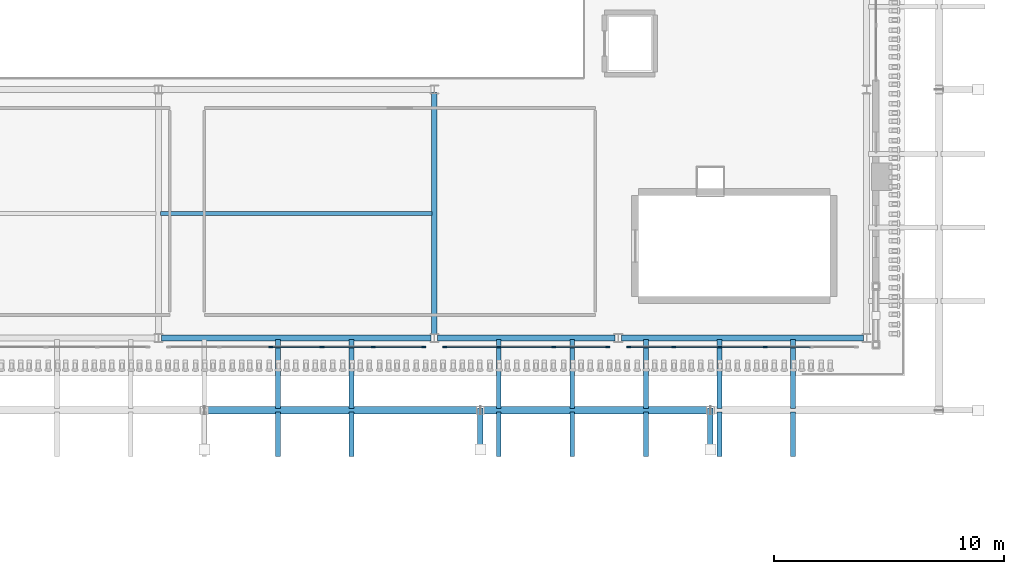
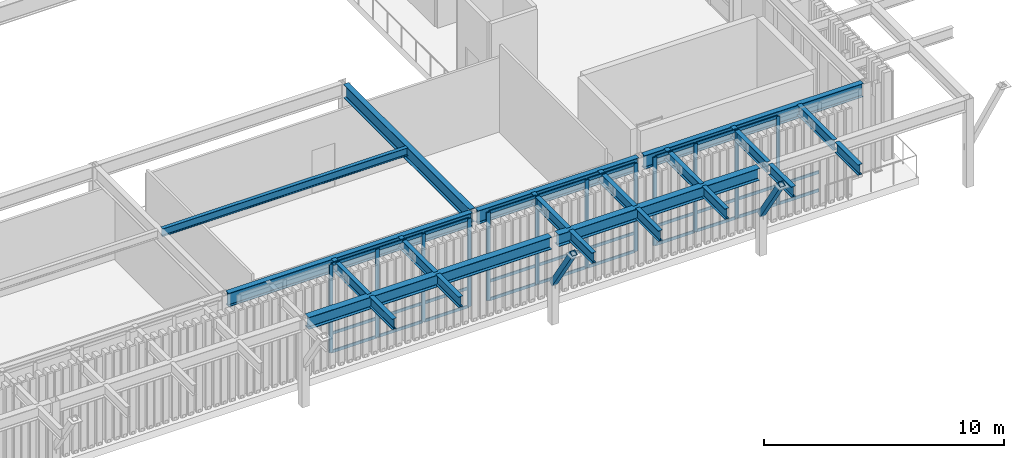
# One storey, part 45 of 126: 43 members, 21 beams, 3 elements without a shape of their own.
"""IFC4 building model written with IfcOpenShell, lengths in metres."""

from ifc_helpers import new_model, si_unit, derived_unit, direction, frame, origin, origin_2d, place, context, subcontext, project, spatial, rectangle, hollow_rectangle, i_section, extrude, material, layer, layer_set, material_profile, profile_set, type_object, element, aggregate, save


model = new_model("IFC4")

# Units and contexts
model_context = context("Model", 3, precision=1e-05, world=origin(), true_north=direction((0.0, 1.0)))
body_context = subcontext(model_context, "Body", "Model", "MODEL_VIEW")
ifc_project = project(units=[si_unit("LENGTHUNIT", "METRE"), si_unit("AREAUNIT", "SQUARE_METRE"), si_unit("VOLUMEUNIT", "CUBIC_METRE"), si_unit("PLANEANGLEUNIT", "RADIAN"), si_unit("MASSUNIT", "GRAM", prefix="KILO"), derived_unit("THERMALTRANSMITTANCEUNIT", [(si_unit("MASSUNIT", "GRAM", prefix="KILO"), 1), (si_unit("TIMEUNIT", "SECOND"), -3), (si_unit("THERMODYNAMICTEMPERATUREUNIT", "KELVIN"), -1)])], contexts=[model_context])

# Site, building, storey
site_placement = place(None, origin())
site = spatial("IfcSite", under=ifc_project, at=site_placement, CompositionType="ELEMENT")
building_placement = place(site_placement, origin())
building = spatial("IfcBuilding", under=site, at=building_placement, Name="Valcora Ridge Arena", CompositionType="ELEMENT")
storey_placement = place(building_placement, frame((0.0, 0.0, 11.39990234375)))
storey = spatial("IfcBuildingStorey", under=building, at=storey_placement, Name="L02", CompositionType="ELEMENT", Elevation=11.39990234375)

# Beams
ifc_material_1 = material(Name="Steel ASTM A572 Grade 50", Category="steel")
ifc_material_profile_1 = material_profile(ifc_material_1, i_section(OverallWidth=0.324951171875, OverallDepth=0.612060546875, WebThickness=0.0126953125, FlangeThickness=0.01904296875, FilletRadius=0.01806640625, at=origin_2d()), Name="W24X104")
ifc_profile_set_1 = profile_set([ifc_material_profile_1], Name="Steel ASTM A572 Grade 50")
beam_type_1 = type_object("IfcBeamType", Name="TY-BEAM-G-COL-W24S", PredefinedType="BEAM", material=ifc_profile_set_1)
beam_1_placement = place(storey_placement, frame((158.159912109375, 2.050048828125, 4.174072265625), z_axis=(1.0, 0.0, 0.0), x_axis=(0.0, 1.0, 0.0)))
element("IfcBeam", 1, at=beam_1_placement, inside=storey, type_object=beam_type_1, Name="G-COL-W24S BEM-G-COL-W24S-0003", PredefinedType="BEAM", context=body_context, shape_type="SweptSolid", body=[
    extrude(i_section(OverallWidth=0.324951171875, OverallDepth=0.612060546875, WebThickness=0.0126953125, FlangeThickness=0.01904296875, FilletRadius=0.01806640625, at=origin_2d()), origin(), (0.0, 0.0, 1.0), 11.68017578125),
])
beam_2_placement = place(storey_placement, frame((170.159912109375, 2.050048828125, 4.174072265625), z_axis=(1.0, 0.0, 0.0), x_axis=(0.0, 1.0, 0.0)))
element("IfcBeam", 2, at=beam_2_placement, inside=storey, type_object=beam_type_1, Name="G-COL-W24S BEM-G-COL-W24S-0004", PredefinedType="BEAM", context=body_context, shape_type="SweptSolid", body=[
    extrude(i_section(OverallWidth=0.324951171875, OverallDepth=0.612060546875, WebThickness=0.0126953125, FlangeThickness=0.01904296875, FilletRadius=0.01806640625, at=origin_2d()), origin(), (0.0, 0.0, 1.0), 9.68017578125),
])
ifc_material_profile_2 = material_profile(ifc_material_1, i_section(OverallWidth=0.256103515625, OverallDepth=0.693115234375, WebThickness=0.014404296875, FlangeThickness=0.023681640625, FilletRadius=0.02001953125, at=origin_2d()), Name="W27X114")
ifc_profile_set_2 = profile_set([ifc_material_profile_2], Name="Steel ASTM A572 Grade 50")
beam_type_2 = type_object("IfcBeamType", Name="TY-BEAM-G-W27X114-Y", PredefinedType="BEAM", material=ifc_profile_set_2)
beam_3_placement = place(storey_placement, frame((168.0, 5.340087890625, 4.133544921875), z_axis=(0.0, 1.0, 0.0), x_axis=(-1.0, 0.0, 0.0)))
element("IfcBeam", 3, at=beam_3_placement, inside=storey, type_object=beam_type_2, Name="G-W27X114-Y BEM-G-W27X114-Y-0073", PredefinedType="BEAM", context=body_context, shape_type="SweptSolid", body=[
    extrude(i_section(OverallWidth=0.256103515625, OverallDepth=0.693115234375, WebThickness=0.014404296875, FlangeThickness=0.023681640625, FilletRadius=0.02001953125, at=origin_2d()), origin(), (0.0, 0.0, 1.0), 10.52001953125),
])
ifc_material_profile_3 = material_profile(ifc_material_1, i_section(OverallWidth=0.177978515625, OverallDepth=0.406005859375, WebThickness=0.0078125, FlangeThickness=0.0126953125, FilletRadius=0.013916015625, at=origin_2d()), Name="W16X40")
ifc_profile_set_3 = profile_set([ifc_material_profile_3], Name="Steel ASTM A572 Grade 50")
beam_type_3 = type_object("IfcBeamType", Name="TY-BEAM-J-W16X40", PredefinedType="JOIST", material=ifc_profile_set_3)
beam_4_placement = place(storey_placement, frame((156.10009765625, 10.60009765625, 4.277099609375), z_axis=(1.0, 0.0, 0.0), x_axis=(0.0, 1.0, 0.0)))
element("IfcBeam", 4, at=beam_4_placement, inside=storey, type_object=beam_type_3, Name="J-W16X40 BEM-J-W16X40-0019", PredefinedType="JOIST", context=body_context, shape_type="SweptSolid", body=[
    extrude(i_section(OverallWidth=0.177978515625, OverallDepth=0.406005859375, WebThickness=0.0078125, FlangeThickness=0.0126953125, FilletRadius=0.013916015625, at=origin_2d()), origin(), (0.0, 0.0, 1.0), 11.7998046875),
])
ifc_material_profile_4 = material_profile(ifc_material_1, i_section(OverallWidth=0.208984375, OverallDepth=0.532958984375, WebThickness=0.01025390625, FlangeThickness=0.015625, FilletRadius=0.01611328125, at=origin_2d()), Name="W21X62")
ifc_profile_set_4 = profile_set([ifc_material_profile_4], Name="Steel ASTM A572 Grade 50")
beam_type_4 = type_object("IfcBeamType", Name="TY-BEAM-RAF-EAVE-W21S", PredefinedType="BEAM", material=ifc_profile_set_4)
for number, where, z_axis, x_axis, name in (
    (5, (161.199951171875, 2.1298828125, 4.213623046875), (0.0, 1.0, 0.0), (-1.0, 0.0, 0.0), "RAF-EAVE-W21S BEM-RAF-EAVE-W21S-0008"),
    (6, (164.39990234375, 2.1298828125, 4.213623046875), (0.0, 1.0, 0.0), (-1.0, 0.0, 0.0), "RAF-EAVE-W21S BEM-RAF-EAVE-W21S-0009"),
    (7, (170.800048828125, 2.1298828125, 4.213623046875), (0.0, 1.0, 0.0), (-1.0, 0.0, 0.0), "RAF-EAVE-W21S BEM-RAF-EAVE-W21S-0010"),
    (8, (174.0, 2.1298828125, 4.213623046875), (0.0, 1.0, 0.0), (-1.0, 0.0, 0.0), "RAF-EAVE-W21S BEM-RAF-EAVE-W21S-0011"),
    (9, (177.199951171875, 2.1298828125, 4.213623046875), (0.0, 1.0, 0.0), (-1.0, 0.0, 0.0), "RAF-EAVE-W21S BEM-RAF-EAVE-W21S-0012"),
    (10, (180.39990234375, 2.1298828125, 4.213623046875), (0.0, 1.0, 0.0), (-1.0, 0.0, 0.0), "RAF-EAVE-W21S BEM-RAF-EAVE-W21S-0013"),
    (11, (183.60009765625, 2.1298828125, 4.213623046875), (0.0, 1.0, 0.0), (-1.0, 0.0, 0.0), "RAF-EAVE-W21S BEM-RAF-EAVE-W21S-0014"),
):
    element("IfcBeam", number, at=place(storey_placement, frame(where, z_axis=z_axis, x_axis=x_axis)), inside=storey, type_object=beam_type_4, Name=name, PredefinedType="BEAM", context=body_context, shape_type="SweptSolid", body=[
        extrude(i_section(OverallWidth=0.208984375, OverallDepth=0.532958984375, WebThickness=0.01025390625, FlangeThickness=0.015625, FilletRadius=0.01611328125, at=origin_2d()), origin(), (0.0, 0.0, 1.0), 2.990234375),
    ])
ifc_material_profile_5 = material_profile(ifc_material_1, i_section(OverallWidth=0.208984375, OverallDepth=0.532958984375, WebThickness=0.01025390625, FlangeThickness=0.015625, FilletRadius=0.01611328125, at=origin_2d()), Name="W21X62")
ifc_profile_set_5 = profile_set([ifc_material_profile_5], Name="Steel ASTM A572 Grade 50")
beam_type_5 = type_object("IfcBeamType", Name="TY-BEAM-RAF-TIP-W21S", PredefinedType="BEAM", material=ifc_profile_set_5)
for number, where, z_axis, x_axis, name in (
    (12, (161.199951171875, 0.050048828125, 4.213623046875), (0.0, 1.0, 0.0), (-1.0, 0.0, 0.0), "RAF-TIP-W21S BEM-RAF-TIP-W21S-0008"),
    (13, (164.39990234375, 0.050048828125, 4.213623046875), (0.0, 1.0, 0.0), (-1.0, 0.0, 0.0), "RAF-TIP-W21S BEM-RAF-TIP-W21S-0009"),
    (14, (170.800048828125, 0.050048828125, 4.213623046875), (0.0, 1.0, 0.0), (-1.0, 0.0, 0.0), "RAF-TIP-W21S BEM-RAF-TIP-W21S-0010"),
    (15, (174.0, 0.050048828125, 4.213623046875), (0.0, 1.0, 0.0), (-1.0, 0.0, 0.0), "RAF-TIP-W21S BEM-RAF-TIP-W21S-0011"),
    (16, (177.199951171875, 0.050048828125, 4.213623046875), (0.0, 1.0, 0.0), (-1.0, 0.0, 0.0), "RAF-TIP-W21S BEM-RAF-TIP-W21S-0012"),
    (17, (180.39990234375, 0.050048828125, 4.213623046875), (0.0, 1.0, 0.0), (-1.0, 0.0, 0.0), "RAF-TIP-W21S BEM-RAF-TIP-W21S-0013"),
    (18, (183.60009765625, 0.050048828125, 4.213623046875), (0.0, 1.0, 0.0), (-1.0, 0.0, 0.0), "RAF-TIP-W21S BEM-RAF-TIP-W21S-0014"),
):
    element("IfcBeam", number, at=place(storey_placement, frame(where, z_axis=z_axis, x_axis=x_axis)), inside=storey, type_object=beam_type_5, Name=name, PredefinedType="BEAM", context=body_context, shape_type="SweptSolid", body=[
        extrude(i_section(OverallWidth=0.208984375, OverallDepth=0.532958984375, WebThickness=0.01025390625, FlangeThickness=0.015625, FilletRadius=0.01611328125, at=origin_2d()), origin(), (0.0, 0.0, 1.0), 1.919921875),
    ])
ifc_material_profile_6 = material_profile(ifc_material_1, i_section(OverallWidth=0.256103515625, OverallDepth=0.693115234375, WebThickness=0.014404296875, FlangeThickness=0.023681640625, FilletRadius=0.02001953125, at=origin_2d()), Name="W27X114")
ifc_profile_set_6 = profile_set([ifc_material_profile_6], Name="Steel ASTM A572 Grade 50")
beam_type_6 = type_object("IfcBeamType", Name="TY-BEAM-SP-W27X114", PredefinedType="SPANDREL", material=ifc_profile_set_6)
beam_5_placement = place(storey_placement, frame((156.139892578125, 5.199951171875, 4.133544921875), z_axis=(1.0, 0.0, 0.0), x_axis=(0.0, 1.0, 0.0)))
element("IfcBeam", 19, at=beam_5_placement, inside=storey, type_object=beam_type_6, Name="SP-W27X114 BEM-SP-W27X114-0023", PredefinedType="SPANDREL", context=body_context, shape_type="SweptSolid", body=[
    extrude(i_section(OverallWidth=0.256103515625, OverallDepth=0.693115234375, WebThickness=0.014404296875, FlangeThickness=0.023681640625, FilletRadius=0.02001953125, at=origin_2d()), origin(), (0.0, 0.0, 1.0), 11.72021484375),
])
beam_6_placement = place(storey_placement, frame((168.139892578125, 5.199951171875, 4.133544921875), z_axis=(1.0, 0.0, 0.0), x_axis=(0.0, 1.0, 0.0)))
element("IfcBeam", 20, at=beam_6_placement, inside=storey, type_object=beam_type_6, Name="SP-W27X114 BEM-SP-W27X114-0024", PredefinedType="SPANDREL", context=body_context, shape_type="SweptSolid", body=[
    extrude(i_section(OverallWidth=0.256103515625, OverallDepth=0.693115234375, WebThickness=0.014404296875, FlangeThickness=0.023681640625, FilletRadius=0.02001953125, at=origin_2d()), origin(), (0.0, 0.0, 1.0), 7.72021484375),
])
beam_7_placement = place(storey_placement, frame((176.139892578125, 5.199951171875, 4.133544921875), z_axis=(1.0, 0.0, 0.0), x_axis=(0.0, 1.0, 0.0)))
element("IfcBeam", 21, at=beam_7_placement, inside=storey, type_object=beam_type_6, Name="SP-W27X114 BEM-SP-W27X114-0025", PredefinedType="SPANDREL", context=body_context, shape_type="SweptSolid", body=[
    extrude(i_section(OverallWidth=0.256103515625, OverallDepth=0.693115234375, WebThickness=0.014404296875, FlangeThickness=0.023681640625, FilletRadius=0.02001953125, at=origin_2d()), origin(), (0.0, 0.0, 1.0), 10.52001953125),
])

# Curtain wall, members
ifc_material_2 = material(Name="Anodised dark bronze architectural aluminium 6063-T6", Category="aluminium")
ifc_layer_1 = layer(ifc_material_2, 0.179931640625, Name="Anodised dark bronze architectural aluminium 6063-T6")
ifc_layer_set_1 = layer_set([ifc_layer_1], Name="Anodised dark bronze architectural aluminium 6063-T6")
curtain_wall_type_1 = type_object("IfcCurtainWallType", Name="TY-CURTAINWALL-CW-V2-GLAZ-111X45", PredefinedType="NOTDEFINED", material=ifc_layer_set_1)
curtain_wall_1_placement = place(storey_placement, origin())
curtain_wall_1 = element("IfcCurtainWall", 22, at=curtain_wall_1_placement, inside=storey, type_object=curtain_wall_type_1, Name="CW-V2-GLAZ-111X45 CW-0068", PredefinedType="NOTDEFINED")
ifc_material_profile_7 = material_profile(ifc_material_2, rectangle(XDim=0.06005859375, YDim=0.179931640625, at=origin_2d()), Name="ALU MULLION 60x180")
ifc_profile_set_7 = profile_set([ifc_material_profile_7], Name="Anodised dark bronze architectural aluminium 6063-T6")
member_type_1 = type_object("IfcMemberType", Name="TY-MEM-CWM-60x180", PredefinedType="MULLION", material=ifc_profile_set_7)
member_1_placement = place(storey_placement, frame((160.885498046875, 4.800048828125, 0.0), z_axis=(0.0, 0.0, 1.0), x_axis=(0.0, 1.0, 0.0)))
member_1 = element("IfcMember", 23, at=member_1_placement, type_object=member_type_1, Name="CW-0068/CWM-60x180/M02", PredefinedType="MULLION", context=body_context, shape_type="SweptSolid", body=[
    extrude(rectangle(XDim=0.06005859375, YDim=0.179931640625, at=origin_2d()), origin(), (0.0, 0.0, 1.0), 4.47998046875),
])
member_2_placement = place(storey_placement, frame((163.114501953125, 4.800048828125, 0.0), z_axis=(0.0, 0.0, 1.0), x_axis=(0.0, 1.0, 0.0)))
member_2 = element("IfcMember", 24, at=member_2_placement, type_object=member_type_1, Name="CW-0068/CWM-60x180/M03", PredefinedType="MULLION", context=body_context, shape_type="SweptSolid", body=[
    extrude(rectangle(XDim=0.06005859375, YDim=0.179931640625, at=origin_2d()), origin(), (0.0, 0.0, 1.0), 4.47998046875),
])
member_3_placement = place(storey_placement, frame((165.34375, 4.800048828125, 0.0), z_axis=(0.0, 0.0, 1.0), x_axis=(0.0, 1.0, 0.0)))
member_3 = element("IfcMember", 25, at=member_3_placement, type_object=member_type_1, Name="CW-0068/CWM-60x180/M04", PredefinedType="MULLION", context=body_context, shape_type="SweptSolid", body=[
    extrude(rectangle(XDim=0.06005859375, YDim=0.179931640625, at=origin_2d()), origin(), (0.0, 0.0, 1.0), 4.47998046875),
])
member_4_placement = place(storey_placement, frame((167.54296875, 4.800048828125, 0.0), z_axis=(0.0, 0.0, 1.0), x_axis=(0.0, 1.0, 0.0)))
member_4 = element("IfcMember", 26, at=member_4_placement, type_object=member_type_1, Name="CW-0068/CWM-60x180/M05", PredefinedType="MULLION", context=body_context, shape_type="SweptSolid", body=[
    extrude(rectangle(XDim=0.06005859375, YDim=0.179931640625, at=origin_2d()), origin(), (0.0, 0.0, 1.0), 4.47998046875),
])

ifc_layer_2 = layer(ifc_material_2, 0.179931640625, Name="Anodised dark bronze architectural aluminium 6063-T6")
ifc_layer_set_2 = layer_set([ifc_layer_2], Name="Anodised dark bronze architectural aluminium 6063-T6")
curtain_wall_type_2 = type_object("IfcCurtainWallType", Name="TY-CURTAINWALL-CW-V2-GLAZ-071X45", PredefinedType="NOTDEFINED", material=ifc_layer_set_2)
curtain_wall_2_placement = place(storey_placement, origin())
curtain_wall_2 = element("IfcCurtainWall", 27, at=curtain_wall_2_placement, inside=storey, type_object=curtain_wall_type_2, Name="CW-V2-GLAZ-071X45 CW-0069", PredefinedType="NOTDEFINED")
member_5_placement = place(storey_placement, frame((168.45703125, 4.800048828125, 0.0), z_axis=(0.0, 0.0, 1.0), x_axis=(0.0, 1.0, 0.0)))
member_5 = element("IfcMember", 28, at=member_5_placement, type_object=member_type_1, Name="CW-0069/CWM-60x180/M00", PredefinedType="MULLION", context=body_context, shape_type="SweptSolid", body=[
    extrude(rectangle(XDim=0.06005859375, YDim=0.179931640625, at=origin_2d()), origin(), (0.0, 0.0, 1.0), 4.47998046875),
])
member_6_placement = place(storey_placement, frame((170.80908203125, 4.800048828125, 0.0), z_axis=(0.0, 0.0, 1.0), x_axis=(0.0, 1.0, 0.0)))
member_6 = element("IfcMember", 29, at=member_6_placement, type_object=member_type_1, Name="CW-0069/CWM-60x180/M01", PredefinedType="MULLION", context=body_context, shape_type="SweptSolid", body=[
    extrude(rectangle(XDim=0.06005859375, YDim=0.179931640625, at=origin_2d()), origin(), (0.0, 0.0, 1.0), 4.47998046875),
])
member_7_placement = place(storey_placement, frame((173.19091796875, 4.800048828125, 0.0), z_axis=(0.0, 0.0, 1.0), x_axis=(0.0, 1.0, 0.0)))
member_7 = element("IfcMember", 30, at=member_7_placement, type_object=member_type_1, Name="CW-0069/CWM-60x180/M02", PredefinedType="MULLION", context=body_context, shape_type="SweptSolid", body=[
    extrude(rectangle(XDim=0.06005859375, YDim=0.179931640625, at=origin_2d()), origin(), (0.0, 0.0, 1.0), 4.47998046875),
])
member_8_placement = place(storey_placement, frame((175.54296875, 4.800048828125, 0.0), z_axis=(0.0, 0.0, 1.0), x_axis=(0.0, 1.0, 0.0)))
member_8 = element("IfcMember", 31, at=member_8_placement, type_object=member_type_1, Name="CW-0069/CWM-60x180/M03", PredefinedType="MULLION", context=body_context, shape_type="SweptSolid", body=[
    extrude(rectangle(XDim=0.06005859375, YDim=0.179931640625, at=origin_2d()), origin(), (0.0, 0.0, 1.0), 4.47998046875),
])

ifc_layer_3 = layer(ifc_material_2, 0.179931640625, Name="Anodised dark bronze architectural aluminium 6063-T6")
ifc_layer_set_3 = layer_set([ifc_layer_3], Name="Anodised dark bronze architectural aluminium 6063-T6")
curtain_wall_type_3 = type_object("IfcCurtainWallType", Name="TY-CURTAINWALL-CW-V2-GLAZ-099X45", PredefinedType="NOTDEFINED", material=ifc_layer_set_3)
curtain_wall_3_placement = place(storey_placement, origin())
curtain_wall_3 = element("IfcCurtainWall", 32, at=curtain_wall_3_placement, inside=storey, type_object=curtain_wall_type_3, Name="CW-V2-GLAZ-099X45 CW-0070", PredefinedType="NOTDEFINED")
member_9_placement = place(storey_placement, frame((176.45703125, 4.800048828125, 0.0), z_axis=(0.0, 0.0, 1.0), x_axis=(0.0, 1.0, 0.0)))
member_9 = element("IfcMember", 33, at=member_9_placement, type_object=member_type_1, Name="CW-0070/CWM-60x180/M00", PredefinedType="MULLION", context=body_context, shape_type="SweptSolid", body=[
    extrude(rectangle(XDim=0.06005859375, YDim=0.179931640625, at=origin_2d()), origin(), (0.0, 0.0, 1.0), 4.47998046875),
])
member_10_placement = place(storey_placement, frame((178.416259765625, 4.800048828125, 0.0), z_axis=(0.0, 0.0, 1.0), x_axis=(0.0, 1.0, 0.0)))
member_10 = element("IfcMember", 34, at=member_10_placement, type_object=member_type_1, Name="CW-0070/CWM-60x180/M01", PredefinedType="MULLION", context=body_context, shape_type="SweptSolid", body=[
    extrude(rectangle(XDim=0.06005859375, YDim=0.179931640625, at=origin_2d()), origin(), (0.0, 0.0, 1.0), 4.47998046875),
])
member_11_placement = place(storey_placement, frame((180.405517578125, 4.800048828125, 0.0), z_axis=(0.0, 0.0, 1.0), x_axis=(0.0, 1.0, 0.0)))
member_11 = element("IfcMember", 35, at=member_11_placement, type_object=member_type_1, Name="CW-0070/CWM-60x180/M02", PredefinedType="MULLION", context=body_context, shape_type="SweptSolid", body=[
    extrude(rectangle(XDim=0.06005859375, YDim=0.179931640625, at=origin_2d()), origin(), (0.0, 0.0, 1.0), 4.47998046875),
])
member_12_placement = place(storey_placement, frame((182.39453125, 4.800048828125, 0.0), z_axis=(0.0, 0.0, 1.0), x_axis=(0.0, 1.0, 0.0)))
member_12 = element("IfcMember", 36, at=member_12_placement, type_object=member_type_1, Name="CW-0070/CWM-60x180/M03", PredefinedType="MULLION", context=body_context, shape_type="SweptSolid", body=[
    extrude(rectangle(XDim=0.06005859375, YDim=0.179931640625, at=origin_2d()), origin(), (0.0, 0.0, 1.0), 4.47998046875),
])

# Member
ifc_material_profile_8 = material_profile(ifc_material_2, rectangle(XDim=0.050048828125, YDim=0.14990234375, at=origin_2d()), Name="ALU TRANSOM 50x150")
ifc_profile_set_8 = profile_set([ifc_material_profile_8], Name="Anodised dark bronze architectural aluminium 6063-T6")
member_type_2 = type_object("IfcMemberType", Name="TY-MEM-CWT-50x150", PredefinedType="USERDEFINED", material=ifc_profile_set_8)
member_13_placement = place(storey_placement, frame((160.9150390625, 4.800048828125, 0.025146484375), z_axis=(1.0, 0.0, 0.0), x_axis=(0.0, 1.0, 0.0)))
member_13 = element("IfcMember", 37, at=member_13_placement, type_object=member_type_2, Name="CW-0068/CWT-50x150/T02-00", ObjectType="TRANSOM", PredefinedType="USERDEFINED", context=body_context, shape_type="SweptSolid", body=[
    extrude(rectangle(XDim=0.050048828125, YDim=0.14990234375, at=origin_2d()), origin(), (0.0, 0.0, 1.0), 2.169921875),
])

member_14_placement = place(storey_placement, frame((160.9150390625, 4.800048828125, 0.9501953125), z_axis=(1.0, 0.0, 0.0), x_axis=(0.0, 1.0, 0.0)))
member_14 = element("IfcMember", 38, at=member_14_placement, type_object=member_type_2, Name="CW-0068/CWT-50x150/T02-01", ObjectType="TRANSOM", PredefinedType="USERDEFINED", context=body_context, shape_type="SweptSolid", body=[
    extrude(rectangle(XDim=0.050048828125, YDim=0.14990234375, at=origin_2d()), origin(), (0.0, 0.0, 1.0), 2.169921875),
])

member_15_placement = place(storey_placement, frame((160.9150390625, 4.800048828125, 4.455078125), z_axis=(1.0, 0.0, 0.0), x_axis=(0.0, 1.0, 0.0)))
member_15 = element("IfcMember", 39, at=member_15_placement, type_object=member_type_2, Name="CW-0068/CWT-50x150/T02-02", ObjectType="TRANSOM", PredefinedType="USERDEFINED", context=body_context, shape_type="SweptSolid", body=[
    extrude(rectangle(XDim=0.050048828125, YDim=0.14990234375, at=origin_2d()), origin(), (0.0, 0.0, 1.0), 2.169921875),
])

member_16_placement = place(storey_placement, frame((163.14501953125, 4.800048828125, 0.025146484375), z_axis=(1.0, 0.0, 0.0), x_axis=(0.0, 1.0, 0.0)))
member_16 = element("IfcMember", 40, at=member_16_placement, type_object=member_type_2, Name="CW-0068/CWT-50x150/T03-00", ObjectType="TRANSOM", PredefinedType="USERDEFINED", context=body_context, shape_type="SweptSolid", body=[
    extrude(rectangle(XDim=0.050048828125, YDim=0.14990234375, at=origin_2d()), origin(), (0.0, 0.0, 1.0), 2.1689453125),
])

member_17_placement = place(storey_placement, frame((163.14501953125, 4.800048828125, 0.9501953125), z_axis=(1.0, 0.0, 0.0), x_axis=(0.0, 1.0, 0.0)))
member_17 = element("IfcMember", 41, at=member_17_placement, type_object=member_type_2, Name="CW-0068/CWT-50x150/T03-01", ObjectType="TRANSOM", PredefinedType="USERDEFINED", context=body_context, shape_type="SweptSolid", body=[
    extrude(rectangle(XDim=0.050048828125, YDim=0.14990234375, at=origin_2d()), origin(), (0.0, 0.0, 1.0), 2.1689453125),
])

member_18_placement = place(storey_placement, frame((163.14501953125, 4.800048828125, 4.455078125), z_axis=(1.0, 0.0, 0.0), x_axis=(0.0, 1.0, 0.0)))
member_18 = element("IfcMember", 42, at=member_18_placement, type_object=member_type_2, Name="CW-0068/CWT-50x150/T03-02", ObjectType="TRANSOM", PredefinedType="USERDEFINED", context=body_context, shape_type="SweptSolid", body=[
    extrude(rectangle(XDim=0.050048828125, YDim=0.14990234375, at=origin_2d()), origin(), (0.0, 0.0, 1.0), 2.1689453125),
])

member_19_placement = place(storey_placement, frame((165.3740234375, 4.800048828125, 0.025146484375), z_axis=(1.0, 0.0, 0.0), x_axis=(0.0, 1.0, 0.0)))
member_19 = element("IfcMember", 43, at=member_19_placement, type_object=member_type_2, Name="CW-0068/CWT-50x150/T04-00", ObjectType="TRANSOM", PredefinedType="USERDEFINED", context=body_context, shape_type="SweptSolid", body=[
    extrude(rectangle(XDim=0.050048828125, YDim=0.14990234375, at=origin_2d()), origin(), (0.0, 0.0, 1.0), 2.138916015625),
])

member_20_placement = place(storey_placement, frame((165.3740234375, 4.800048828125, 0.9501953125), z_axis=(1.0, 0.0, 0.0), x_axis=(0.0, 1.0, 0.0)))
member_20 = element("IfcMember", 44, at=member_20_placement, type_object=member_type_2, Name="CW-0068/CWT-50x150/T04-01", ObjectType="TRANSOM", PredefinedType="USERDEFINED", context=body_context, shape_type="SweptSolid", body=[
    extrude(rectangle(XDim=0.050048828125, YDim=0.14990234375, at=origin_2d()), origin(), (0.0, 0.0, 1.0), 2.138916015625),
])

member_21_placement = place(storey_placement, frame((165.3740234375, 4.800048828125, 4.455078125), z_axis=(1.0, 0.0, 0.0), x_axis=(0.0, 1.0, 0.0)))
member_21 = element("IfcMember", 45, at=member_21_placement, type_object=member_type_2, Name="CW-0068/CWT-50x150/T04-02", ObjectType="TRANSOM", PredefinedType="USERDEFINED", context=body_context, shape_type="SweptSolid", body=[
    extrude(rectangle(XDim=0.050048828125, YDim=0.14990234375, at=origin_2d()), origin(), (0.0, 0.0, 1.0), 2.138916015625),
])

aggregate(curtain_wall_1, [member_1, member_2, member_3, member_4, member_13, member_14, member_15, member_16, member_17, member_18, member_19, member_20, member_21])

member_22_placement = place(storey_placement, frame((168.487060546875, 4.800048828125, 0.025146484375), z_axis=(1.0, 0.0, 0.0), x_axis=(0.0, 1.0, 0.0)))
member_22 = element("IfcMember", 46, at=member_22_placement, type_object=member_type_2, Name="CW-0069/CWT-50x150/T00-00", ObjectType="TRANSOM", PredefinedType="USERDEFINED", context=body_context, shape_type="SweptSolid", body=[
    extrude(rectangle(XDim=0.050048828125, YDim=0.14990234375, at=origin_2d()), origin(), (0.0, 0.0, 1.0), 2.2919921875),
])

member_23_placement = place(storey_placement, frame((168.487060546875, 4.800048828125, 0.9501953125), z_axis=(1.0, 0.0, 0.0), x_axis=(0.0, 1.0, 0.0)))
member_23 = element("IfcMember", 47, at=member_23_placement, type_object=member_type_2, Name="CW-0069/CWT-50x150/T00-01", ObjectType="TRANSOM", PredefinedType="USERDEFINED", context=body_context, shape_type="SweptSolid", body=[
    extrude(rectangle(XDim=0.050048828125, YDim=0.14990234375, at=origin_2d()), origin(), (0.0, 0.0, 1.0), 2.2919921875),
])

member_24_placement = place(storey_placement, frame((168.487060546875, 4.800048828125, 4.455078125), z_axis=(1.0, 0.0, 0.0), x_axis=(0.0, 1.0, 0.0)))
member_24 = element("IfcMember", 48, at=member_24_placement, type_object=member_type_2, Name="CW-0069/CWT-50x150/T00-02", ObjectType="TRANSOM", PredefinedType="USERDEFINED", context=body_context, shape_type="SweptSolid", body=[
    extrude(rectangle(XDim=0.050048828125, YDim=0.14990234375, at=origin_2d()), origin(), (0.0, 0.0, 1.0), 2.2919921875),
])

member_25_placement = place(storey_placement, frame((170.839111328125, 4.800048828125, 0.025146484375), z_axis=(1.0, 0.0, 0.0), x_axis=(0.0, 1.0, 0.0)))
member_25 = element("IfcMember", 49, at=member_25_placement, type_object=member_type_2, Name="CW-0069/CWT-50x150/T01-00", ObjectType="TRANSOM", PredefinedType="USERDEFINED", context=body_context, shape_type="SweptSolid", body=[
    extrude(rectangle(XDim=0.050048828125, YDim=0.14990234375, at=origin_2d()), origin(), (0.0, 0.0, 1.0), 2.32177734375),
])

member_26_placement = place(storey_placement, frame((170.839111328125, 4.800048828125, 0.9501953125), z_axis=(1.0, 0.0, 0.0), x_axis=(0.0, 1.0, 0.0)))
member_26 = element("IfcMember", 50, at=member_26_placement, type_object=member_type_2, Name="CW-0069/CWT-50x150/T01-01", ObjectType="TRANSOM", PredefinedType="USERDEFINED", context=body_context, shape_type="SweptSolid", body=[
    extrude(rectangle(XDim=0.050048828125, YDim=0.14990234375, at=origin_2d()), origin(), (0.0, 0.0, 1.0), 2.32177734375),
])

member_27_placement = place(storey_placement, frame((170.839111328125, 4.800048828125, 4.455078125), z_axis=(1.0, 0.0, 0.0), x_axis=(0.0, 1.0, 0.0)))
member_27 = element("IfcMember", 51, at=member_27_placement, type_object=member_type_2, Name="CW-0069/CWT-50x150/T01-02", ObjectType="TRANSOM", PredefinedType="USERDEFINED", context=body_context, shape_type="SweptSolid", body=[
    extrude(rectangle(XDim=0.050048828125, YDim=0.14990234375, at=origin_2d()), origin(), (0.0, 0.0, 1.0), 2.32177734375),
])

member_28_placement = place(storey_placement, frame((173.220947265625, 4.800048828125, 0.025146484375), z_axis=(1.0, 0.0, 0.0), x_axis=(0.0, 1.0, 0.0)))
member_28 = element("IfcMember", 52, at=member_28_placement, type_object=member_type_2, Name="CW-0069/CWT-50x150/T02-00", ObjectType="TRANSOM", PredefinedType="USERDEFINED", context=body_context, shape_type="SweptSolid", body=[
    extrude(rectangle(XDim=0.050048828125, YDim=0.14990234375, at=origin_2d()), origin(), (0.0, 0.0, 1.0), 2.2919921875),
])

member_29_placement = place(storey_placement, frame((173.220947265625, 4.800048828125, 0.9501953125), z_axis=(1.0, 0.0, 0.0), x_axis=(0.0, 1.0, 0.0)))
member_29 = element("IfcMember", 53, at=member_29_placement, type_object=member_type_2, Name="CW-0069/CWT-50x150/T02-01", ObjectType="TRANSOM", PredefinedType="USERDEFINED", context=body_context, shape_type="SweptSolid", body=[
    extrude(rectangle(XDim=0.050048828125, YDim=0.14990234375, at=origin_2d()), origin(), (0.0, 0.0, 1.0), 2.2919921875),
])

member_30_placement = place(storey_placement, frame((173.220947265625, 4.800048828125, 4.455078125), z_axis=(1.0, 0.0, 0.0), x_axis=(0.0, 1.0, 0.0)))
member_30 = element("IfcMember", 54, at=member_30_placement, type_object=member_type_2, Name="CW-0069/CWT-50x150/T02-02", ObjectType="TRANSOM", PredefinedType="USERDEFINED", context=body_context, shape_type="SweptSolid", body=[
    extrude(rectangle(XDim=0.050048828125, YDim=0.14990234375, at=origin_2d()), origin(), (0.0, 0.0, 1.0), 2.2919921875),
])

aggregate(curtain_wall_2, [member_5, member_6, member_7, member_8, member_22, member_23, member_24, member_25, member_26, member_27, member_28, member_29, member_30])

member_31_placement = place(storey_placement, frame((176.487060546875, 4.800048828125, 0.025146484375), z_axis=(1.0, 0.0, 0.0), x_axis=(0.0, 1.0, 0.0)))
member_31 = element("IfcMember", 55, at=member_31_placement, type_object=member_type_2, Name="CW-0070/CWT-50x150/T00-00", ObjectType="TRANSOM", PredefinedType="USERDEFINED", context=body_context, shape_type="SweptSolid", body=[
    extrude(rectangle(XDim=0.050048828125, YDim=0.14990234375, at=origin_2d()), origin(), (0.0, 0.0, 1.0), 1.89892578125),
])

member_32_placement = place(storey_placement, frame((176.487060546875, 4.800048828125, 0.9501953125), z_axis=(1.0, 0.0, 0.0), x_axis=(0.0, 1.0, 0.0)))
member_32 = element("IfcMember", 56, at=member_32_placement, type_object=member_type_2, Name="CW-0070/CWT-50x150/T00-01", ObjectType="TRANSOM", PredefinedType="USERDEFINED", context=body_context, shape_type="SweptSolid", body=[
    extrude(rectangle(XDim=0.050048828125, YDim=0.14990234375, at=origin_2d()), origin(), (0.0, 0.0, 1.0), 1.89892578125),
])

member_33_placement = place(storey_placement, frame((176.487060546875, 4.800048828125, 4.455078125), z_axis=(1.0, 0.0, 0.0), x_axis=(0.0, 1.0, 0.0)))
member_33 = element("IfcMember", 57, at=member_33_placement, type_object=member_type_2, Name="CW-0070/CWT-50x150/T00-02", ObjectType="TRANSOM", PredefinedType="USERDEFINED", context=body_context, shape_type="SweptSolid", body=[
    extrude(rectangle(XDim=0.050048828125, YDim=0.14990234375, at=origin_2d()), origin(), (0.0, 0.0, 1.0), 1.89892578125),
])

member_34_placement = place(storey_placement, frame((178.446044921875, 4.800048828125, 0.025146484375), z_axis=(1.0, 0.0, 0.0), x_axis=(0.0, 1.0, 0.0)))
member_34 = element("IfcMember", 58, at=member_34_placement, type_object=member_type_2, Name="CW-0070/CWT-50x150/T01-00", ObjectType="TRANSOM", PredefinedType="USERDEFINED", context=body_context, shape_type="SweptSolid", body=[
    extrude(rectangle(XDim=0.050048828125, YDim=0.14990234375, at=origin_2d()), origin(), (0.0, 0.0, 1.0), 1.928955078125),
])

member_35_placement = place(storey_placement, frame((178.446044921875, 4.800048828125, 0.9501953125), z_axis=(1.0, 0.0, 0.0), x_axis=(0.0, 1.0, 0.0)))
member_35 = element("IfcMember", 59, at=member_35_placement, type_object=member_type_2, Name="CW-0070/CWT-50x150/T01-01", ObjectType="TRANSOM", PredefinedType="USERDEFINED", context=body_context, shape_type="SweptSolid", body=[
    extrude(rectangle(XDim=0.050048828125, YDim=0.14990234375, at=origin_2d()), origin(), (0.0, 0.0, 1.0), 1.928955078125),
])

member_36_placement = place(storey_placement, frame((178.446044921875, 4.800048828125, 4.455078125), z_axis=(1.0, 0.0, 0.0), x_axis=(0.0, 1.0, 0.0)))
member_36 = element("IfcMember", 60, at=member_36_placement, type_object=member_type_2, Name="CW-0070/CWT-50x150/T01-02", ObjectType="TRANSOM", PredefinedType="USERDEFINED", context=body_context, shape_type="SweptSolid", body=[
    extrude(rectangle(XDim=0.050048828125, YDim=0.14990234375, at=origin_2d()), origin(), (0.0, 0.0, 1.0), 1.928955078125),
])

member_37_placement = place(storey_placement, frame((180.43505859375, 4.800048828125, 0.025146484375), z_axis=(1.0, 0.0, 0.0), x_axis=(0.0, 1.0, 0.0)))
member_37 = element("IfcMember", 61, at=member_37_placement, type_object=member_type_2, Name="CW-0070/CWT-50x150/T02-00", ObjectType="TRANSOM", PredefinedType="USERDEFINED", context=body_context, shape_type="SweptSolid", body=[
    extrude(rectangle(XDim=0.050048828125, YDim=0.14990234375, at=origin_2d()), origin(), (0.0, 0.0, 1.0), 1.929931640625),
])

member_38_placement = place(storey_placement, frame((180.43505859375, 4.800048828125, 0.9501953125), z_axis=(1.0, 0.0, 0.0), x_axis=(0.0, 1.0, 0.0)))
member_38 = element("IfcMember", 62, at=member_38_placement, type_object=member_type_2, Name="CW-0070/CWT-50x150/T02-01", ObjectType="TRANSOM", PredefinedType="USERDEFINED", context=body_context, shape_type="SweptSolid", body=[
    extrude(rectangle(XDim=0.050048828125, YDim=0.14990234375, at=origin_2d()), origin(), (0.0, 0.0, 1.0), 1.929931640625),
])

member_39_placement = place(storey_placement, frame((180.43505859375, 4.800048828125, 4.455078125), z_axis=(1.0, 0.0, 0.0), x_axis=(0.0, 1.0, 0.0)))
member_39 = element("IfcMember", 63, at=member_39_placement, type_object=member_type_2, Name="CW-0070/CWT-50x150/T02-02", ObjectType="TRANSOM", PredefinedType="USERDEFINED", context=body_context, shape_type="SweptSolid", body=[
    extrude(rectangle(XDim=0.050048828125, YDim=0.14990234375, at=origin_2d()), origin(), (0.0, 0.0, 1.0), 1.929931640625),
])

member_40_placement = place(storey_placement, frame((182.425048828125, 4.800048828125, 0.025146484375), z_axis=(1.0, 0.0, 0.0), x_axis=(0.0, 1.0, 0.0)))
member_40 = element("IfcMember", 64, at=member_40_placement, type_object=member_type_2, Name="CW-0070/CWT-50x150/T03-00", ObjectType="TRANSOM", PredefinedType="USERDEFINED", context=body_context, shape_type="SweptSolid", body=[
    extrude(rectangle(XDim=0.050048828125, YDim=0.14990234375, at=origin_2d()), origin(), (0.0, 0.0, 1.0), 1.928955078125),
])

member_41_placement = place(storey_placement, frame((182.425048828125, 4.800048828125, 0.9501953125), z_axis=(1.0, 0.0, 0.0), x_axis=(0.0, 1.0, 0.0)))
member_41 = element("IfcMember", 65, at=member_41_placement, type_object=member_type_2, Name="CW-0070/CWT-50x150/T03-01", ObjectType="TRANSOM", PredefinedType="USERDEFINED", context=body_context, shape_type="SweptSolid", body=[
    extrude(rectangle(XDim=0.050048828125, YDim=0.14990234375, at=origin_2d()), origin(), (0.0, 0.0, 1.0), 1.928955078125),
])

aggregate(curtain_wall_3, [member_9, member_10, member_11, member_12, member_31, member_32, member_33, member_34, member_35, member_36, member_37, member_38, member_39, member_40, member_41])

# Members
ifc_material_3 = material(Name="Steel ASTM A500 Grade C", Category="steel")
ifc_material_profile_9 = material_profile(ifc_material_3, hollow_rectangle(XDim=0.25, YDim=0.25, WallThickness=0.012451171875, at=origin_2d()), Name="HSS250X250X12")
ifc_profile_set_9 = profile_set([ifc_material_profile_9], Name="Steel ASTM A500 Grade C")
member_type_3 = type_object("IfcMemberType", Name="TY-MEMBER-KBG-250S", PredefinedType="BRACE", material=ifc_profile_set_9)
for number, where, z_axis, x_axis, name in (
    (66, (170.0, 2.050048828125, 2.0), (0.0, -0.55317758564, 0.833063358182), (1.0, 0.0, 0.0), "KBG-250S Knee Brace"),
    (67, (180.0, 2.050048828125, 2.0), (0.0, -0.55317758564, 0.833063358182), (1.0, 0.0, 0.0), "KBG-250S Knee Brace"),
):
    element("IfcMember", number, at=place(storey_placement, frame(where, z_axis=z_axis, x_axis=x_axis)), inside=storey, type_object=member_type_3, Name=name, PredefinedType="BRACE", context=body_context, shape_type="SweptSolid", body=[
        extrude(hollow_rectangle(XDim=0.25, YDim=0.25, WallThickness=0.012451171875, at=origin_2d()), origin(), (0.0, 0.0, 1.0), 3.072998046875),
    ])

save(model, "model.ifc")
